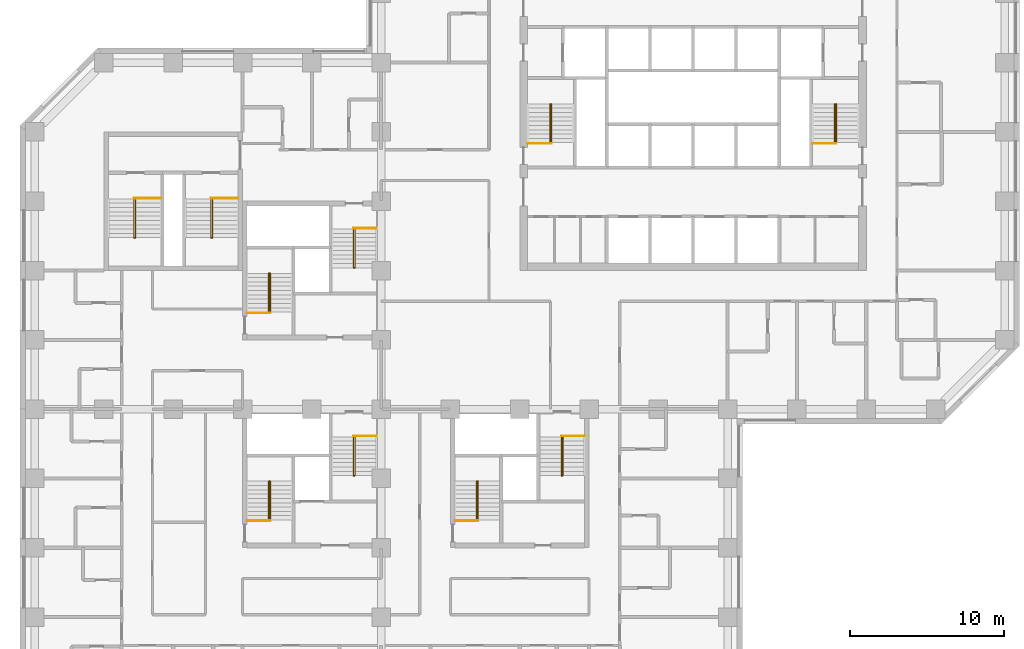
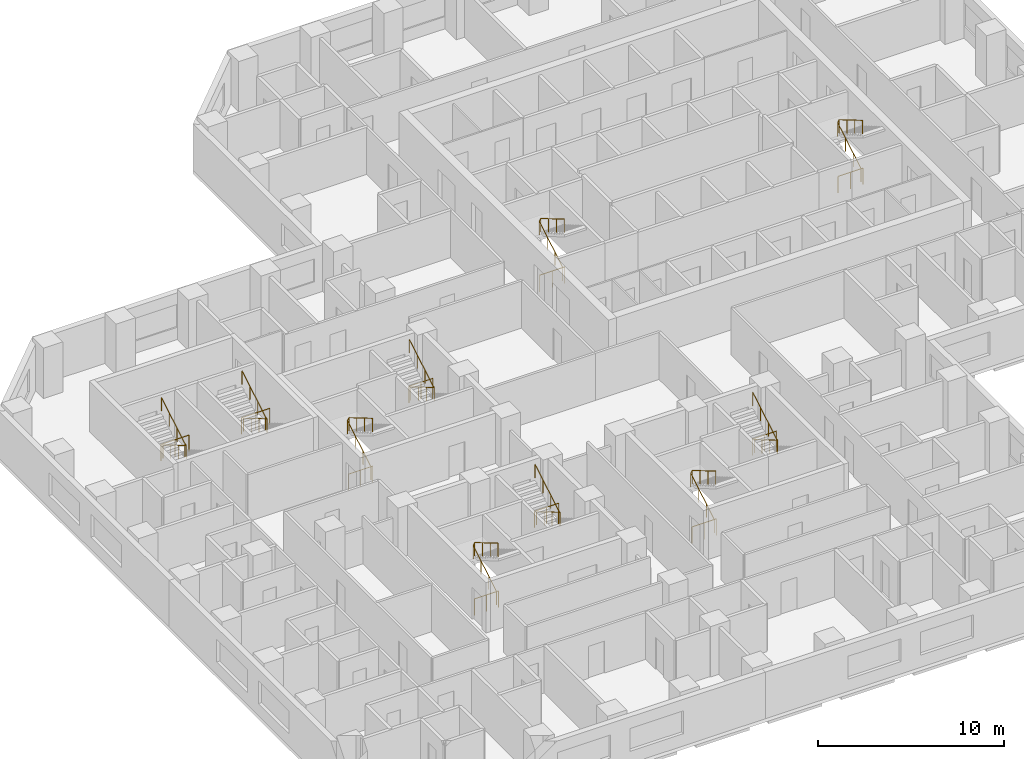
# One storey, part 12 of 12: 20 railings.
"""IFC4 building model written with IfcOpenShell, lengths in metres."""

from ifc_helpers import new_model, si_unit, direction, frame, origin, origin_2d, place, context, subcontext, project, spatial, circle, extrude, material, type_object, element, save


model = new_model("IFC4")

# Units and contexts
model_context = context("Model", 3, precision=1e-05, world=origin(), true_north=direction((0.0, 1.0)))
body_context = subcontext(model_context, "Body", "Model", "MODEL_VIEW")
ifc_project = project(units=[si_unit("LENGTHUNIT", "METRE"), si_unit("AREAUNIT", "SQUARE_METRE"), si_unit("VOLUMEUNIT", "CUBIC_METRE"), si_unit("PLANEANGLEUNIT", "RADIAN"), si_unit("MASSUNIT", "GRAM", prefix="KILO")], contexts=[model_context])

# Site, building, storey
site_placement = place(None, origin())
site = spatial("IfcSite", under=ifc_project, at=site_placement, CompositionType="ELEMENT")
building_placement = place(site_placement, origin())
building = spatial("IfcBuilding", under=site, at=building_placement, Name="Quoin Convention Tower", CompositionType="ELEMENT")
storey_placement = place(building_placement, frame((0.0, 0.0, 59.39990234375)))
storey = spatial("IfcBuildingStorey", under=building, at=storey_placement, Name="L15", CompositionType="ELEMENT", Elevation=59.39990234375)

# Railings
ifc_material = material(Name="Stainless steel", Category="steel")
railing_type_1 = type_object("IfcRailingType", Name="Stair handrail 900", PredefinedType="HANDRAIL", material=ifc_material)
for number, where, name in (
    (1, (46.955078125, 57.800048828125, 0.1650390625), "SD1 handrail 1"),
    (2, (65.455078125, 57.800048828125, 0.1650390625), "SD2 handrail 1"),
    (3, (28.705078125, 46.800048828125, 0.1650390625), "SD3 handrail 1"),
):
    element("IfcRailing", number, at=place(storey_placement, frame(where)), inside=storey, type_object=railing_type_1, Name=name, PredefinedType="HANDRAIL", context=body_context, shape_type="SweptSolid", body=[
        extrude(circle(Radius=0.02392578125, at=origin_2d()), frame((0.0, 0.0, 0.8759765625), z_axis=(0.0, 0.86152411907, 0.507716645641), x_axis=(-1.0, 0.0, 0.0)), (0.0, 0.0, 1.0), 2.925048828125),
        extrude(circle(Radius=0.02392578125, at=origin_2d()), frame((0.0, 2.52001953125, 2.36083984375), z_axis=(0.478123724308, 0.0, 0.878292493566), x_axis=(0.0, 1.0, 0.0)), (0.0, 0.0, 1.0), 0.18798828125),
        extrude(circle(Radius=0.02392578125, at=origin_2d()), frame((0.08984375, 2.52001953125, 2.52587890625), z_axis=(0.0, -0.861560626758, 0.507654692109), x_axis=(1.0, 0.0, 0.0)), (0.0, 0.0, 1.0), 2.925048828125),
        extrude(circle(Radius=0.02099609375, at=origin_2d()), origin(), (0.0, 0.0, 1.0), 0.851806640625),
        extrude(circle(Radius=0.02099609375, at=origin_2d()), frame((0.0, 0.840087890625, 0.4951171875)), (0.0, 0.0, 1.0), 0.851806640625),
        extrude(circle(Radius=0.02099609375, at=origin_2d()), frame((0.0, 1.679931640625, 0.989990234375)), (0.0, 0.0, 1.0), 0.851806640625),
        extrude(circle(Radius=0.02099609375, at=origin_2d()), frame((0.0, 2.52001953125, 1.485107421875)), (0.0, 0.0, 1.0), 0.851806640625),
        extrude(circle(Radius=0.02099609375, at=origin_2d()), frame((0.08984375, 2.52001953125, 1.650146484375)), (0.0, 0.0, 1.0), 0.851806640625),
        extrude(circle(Radius=0.02099609375, at=origin_2d()), frame((0.08984375, 1.679931640625, 2.14501953125)), (0.0, 0.0, 1.0), 0.851806640625),
        extrude(circle(Radius=0.02099609375, at=origin_2d()), frame((0.08984375, 0.840087890625, 2.64013671875)), (0.0, 0.0, 1.0), 0.851806640625),
        extrude(circle(Radius=0.02099609375, at=origin_2d()), frame((0.08984375, 0.0, 3.135009765625)), (0.0, 0.0, 1.0), 0.851806640625),
    ])
railing_1_placement = place(storey_placement, frame((34.294921875, 52.199951171875, 0.1650390625)))
element("IfcRailing", 4, at=railing_1_placement, inside=storey, type_object=railing_type_1, Name="SD4 handrail 1", PredefinedType="HANDRAIL", context=body_context, shape_type="SweptSolid", body=[
    extrude(circle(Radius=0.02392578125, at=origin_2d()), frame((0.0, 0.0, 0.8759765625), z_axis=(0.0, -0.86152411907, 0.507716645641), x_axis=(1.0, 0.0, 0.0)), (0.0, 0.0, 1.0), 2.925048828125),
    extrude(circle(Radius=0.02392578125, at=origin_2d()), frame((0.0, -2.52001953125, 2.36083984375), z_axis=(-0.478123724308, 0.0, 0.878292493566), x_axis=(0.0, -1.0, 0.0)), (0.0, 0.0, 1.0), 0.18798828125),
    extrude(circle(Radius=0.02392578125, at=origin_2d()), frame((-0.08984375, -2.52001953125, 2.52587890625), z_axis=(0.0, 0.861560626758, 0.507654692109), x_axis=(-1.0, 0.0, 0.0)), (0.0, 0.0, 1.0), 2.925048828125),
    extrude(circle(Radius=0.02099609375, at=origin_2d()), origin(), (0.0, 0.0, 1.0), 0.851806640625),
    extrude(circle(Radius=0.02099609375, at=origin_2d()), frame((0.0, -0.840087890625, 0.4951171875)), (0.0, 0.0, 1.0), 0.851806640625),
    extrude(circle(Radius=0.02099609375, at=origin_2d()), frame((0.0, -1.679931640625, 0.989990234375)), (0.0, 0.0, 1.0), 0.851806640625),
    extrude(circle(Radius=0.02099609375, at=origin_2d()), frame((0.0, -2.52001953125, 1.485107421875)), (0.0, 0.0, 1.0), 0.851806640625),
    extrude(circle(Radius=0.02099609375, at=origin_2d()), frame((-0.08984375, -2.52001953125, 1.650146484375)), (0.0, 0.0, 1.0), 0.851806640625),
    extrude(circle(Radius=0.02099609375, at=origin_2d()), frame((-0.08984375, -1.679931640625, 2.14501953125)), (0.0, 0.0, 1.0), 0.851806640625),
    extrude(circle(Radius=0.02099609375, at=origin_2d()), frame((-0.08984375, -0.840087890625, 2.64013671875)), (0.0, 0.0, 1.0), 0.851806640625),
    extrude(circle(Radius=0.02099609375, at=origin_2d()), frame((-0.08984375, 0.0, 3.135009765625)), (0.0, 0.0, 1.0), 0.851806640625),
])
railing_2_placement = place(storey_placement, frame((42.205078125, 33.300048828125, 0.1650390625)))
element("IfcRailing", 5, at=railing_2_placement, inside=storey, type_object=railing_type_1, Name="SD5 handrail 1", PredefinedType="HANDRAIL", context=body_context, shape_type="SweptSolid", body=[
    extrude(circle(Radius=0.02392578125, at=origin_2d()), frame((0.0, 0.0, 0.8759765625), z_axis=(0.0, 0.86152411907, 0.507716645641), x_axis=(-1.0, 0.0, 0.0)), (0.0, 0.0, 1.0), 2.925048828125),
    extrude(circle(Radius=0.02392578125, at=origin_2d()), frame((0.0, 2.52001953125, 2.36083984375), z_axis=(0.478123724308, 0.0, 0.878292493566), x_axis=(0.0, 1.0, 0.0)), (0.0, 0.0, 1.0), 0.18798828125),
    extrude(circle(Radius=0.02392578125, at=origin_2d()), frame((0.08984375, 2.52001953125, 2.52587890625), z_axis=(0.0, -0.861560626758, 0.507654692109), x_axis=(1.0, 0.0, 0.0)), (0.0, 0.0, 1.0), 2.925048828125),
    extrude(circle(Radius=0.02099609375, at=origin_2d()), origin(), (0.0, 0.0, 1.0), 0.851806640625),
    extrude(circle(Radius=0.02099609375, at=origin_2d()), frame((0.0, 0.840087890625, 0.4951171875)), (0.0, 0.0, 1.0), 0.851806640625),
    extrude(circle(Radius=0.02099609375, at=origin_2d()), frame((0.0, 1.679931640625, 0.989990234375)), (0.0, 0.0, 1.0), 0.851806640625),
    extrude(circle(Radius=0.02099609375, at=origin_2d()), frame((0.0, 2.52001953125, 1.485107421875)), (0.0, 0.0, 1.0), 0.851806640625),
    extrude(circle(Radius=0.02099609375, at=origin_2d()), frame((0.08984375, 2.52001953125, 1.650146484375)), (0.0, 0.0, 1.0), 0.851806640625),
    extrude(circle(Radius=0.02099609375, at=origin_2d()), frame((0.08984375, 1.679931640625, 2.14501953125)), (0.0, 0.0, 1.0), 0.851806640625),
    extrude(circle(Radius=0.02099609375, at=origin_2d()), frame((0.08984375, 0.840087890625, 2.64013671875)), (0.0, 0.0, 1.0), 0.851806640625),
    extrude(circle(Radius=0.02099609375, at=origin_2d()), frame((0.08984375, 0.0, 3.135009765625)), (0.0, 0.0, 1.0), 0.851806640625),
])
railing_3_placement = place(storey_placement, frame((47.794921875, 38.699951171875, 0.1650390625)))
element("IfcRailing", 6, at=railing_3_placement, inside=storey, type_object=railing_type_1, Name="SD6 handrail 1", PredefinedType="HANDRAIL", context=body_context, shape_type="SweptSolid", body=[
    extrude(circle(Radius=0.02392578125, at=origin_2d()), frame((0.0, 0.0, 0.8759765625), z_axis=(0.0, -0.86152411907, 0.507716645641), x_axis=(1.0, 0.0, 0.0)), (0.0, 0.0, 1.0), 2.925048828125),
    extrude(circle(Radius=0.02392578125, at=origin_2d()), frame((0.0, -2.52001953125, 2.36083984375), z_axis=(-0.478123724308, 0.0, 0.878292493566), x_axis=(0.0, -1.0, 0.0)), (0.0, 0.0, 1.0), 0.18798828125),
    extrude(circle(Radius=0.02392578125, at=origin_2d()), frame((-0.08984375, -2.52001953125, 2.52587890625), z_axis=(0.0, 0.861560626758, 0.507654692109), x_axis=(-1.0, 0.0, 0.0)), (0.0, 0.0, 1.0), 2.925048828125),
    extrude(circle(Radius=0.02099609375, at=origin_2d()), origin(), (0.0, 0.0, 1.0), 0.851806640625),
    extrude(circle(Radius=0.02099609375, at=origin_2d()), frame((0.0, -0.840087890625, 0.4951171875)), (0.0, 0.0, 1.0), 0.851806640625),
    extrude(circle(Radius=0.02099609375, at=origin_2d()), frame((0.0, -1.679931640625, 0.989990234375)), (0.0, 0.0, 1.0), 0.851806640625),
    extrude(circle(Radius=0.02099609375, at=origin_2d()), frame((0.0, -2.52001953125, 1.485107421875)), (0.0, 0.0, 1.0), 0.851806640625),
    extrude(circle(Radius=0.02099609375, at=origin_2d()), frame((-0.08984375, -2.52001953125, 1.650146484375)), (0.0, 0.0, 1.0), 0.851806640625),
    extrude(circle(Radius=0.02099609375, at=origin_2d()), frame((-0.08984375, -1.679931640625, 2.14501953125)), (0.0, 0.0, 1.0), 0.851806640625),
    extrude(circle(Radius=0.02099609375, at=origin_2d()), frame((-0.08984375, -0.840087890625, 2.64013671875)), (0.0, 0.0, 1.0), 0.851806640625),
    extrude(circle(Radius=0.02099609375, at=origin_2d()), frame((-0.08984375, 0.0, 3.135009765625)), (0.0, 0.0, 1.0), 0.851806640625),
])
railing_4_placement = place(storey_placement, frame((28.705078125, 33.300048828125, 0.1650390625)))
element("IfcRailing", 7, at=railing_4_placement, inside=storey, type_object=railing_type_1, Name="SD7 handrail 1", PredefinedType="HANDRAIL", context=body_context, shape_type="SweptSolid", body=[
    extrude(circle(Radius=0.02392578125, at=origin_2d()), frame((0.0, 0.0, 0.8759765625), z_axis=(0.0, 0.86152411907, 0.507716645641), x_axis=(-1.0, 0.0, 0.0)), (0.0, 0.0, 1.0), 2.925048828125),
    extrude(circle(Radius=0.02392578125, at=origin_2d()), frame((0.0, 2.52001953125, 2.36083984375), z_axis=(0.478123724308, 0.0, 0.878292493566), x_axis=(0.0, 1.0, 0.0)), (0.0, 0.0, 1.0), 0.18798828125),
    extrude(circle(Radius=0.02392578125, at=origin_2d()), frame((0.08984375, 2.52001953125, 2.52587890625), z_axis=(0.0, -0.861560626758, 0.507654692109), x_axis=(1.0, 0.0, 0.0)), (0.0, 0.0, 1.0), 2.925048828125),
    extrude(circle(Radius=0.02099609375, at=origin_2d()), origin(), (0.0, 0.0, 1.0), 0.851806640625),
    extrude(circle(Radius=0.02099609375, at=origin_2d()), frame((0.0, 0.840087890625, 0.4951171875)), (0.0, 0.0, 1.0), 0.851806640625),
    extrude(circle(Radius=0.02099609375, at=origin_2d()), frame((0.0, 1.679931640625, 0.989990234375)), (0.0, 0.0, 1.0), 0.851806640625),
    extrude(circle(Radius=0.02099609375, at=origin_2d()), frame((0.0, 2.52001953125, 1.485107421875)), (0.0, 0.0, 1.0), 0.851806640625),
    extrude(circle(Radius=0.02099609375, at=origin_2d()), frame((0.08984375, 2.52001953125, 1.650146484375)), (0.0, 0.0, 1.0), 0.851806640625),
    extrude(circle(Radius=0.02099609375, at=origin_2d()), frame((0.08984375, 1.679931640625, 2.14501953125)), (0.0, 0.0, 1.0), 0.851806640625),
    extrude(circle(Radius=0.02099609375, at=origin_2d()), frame((0.08984375, 0.840087890625, 2.64013671875)), (0.0, 0.0, 1.0), 0.851806640625),
    extrude(circle(Radius=0.02099609375, at=origin_2d()), frame((0.08984375, 0.0, 3.135009765625)), (0.0, 0.0, 1.0), 0.851806640625),
])
for number, where, name in (
    (8, (34.294921875, 38.699951171875, 0.1650390625), "SD8 handrail 1"),
    (9, (20.044921875, 54.14990234375, 0.1650390625), "SD11 handrail 1"),
    (10, (25.044921875, 54.14990234375, 0.1650390625), "SD12 handrail 1"),
):
    element("IfcRailing", number, at=place(storey_placement, frame(where)), inside=storey, type_object=railing_type_1, Name=name, PredefinedType="HANDRAIL", context=body_context, shape_type="SweptSolid", body=[
        extrude(circle(Radius=0.02392578125, at=origin_2d()), frame((0.0, 0.0, 0.8759765625), z_axis=(0.0, -0.86152411907, 0.507716645641), x_axis=(1.0, 0.0, 0.0)), (0.0, 0.0, 1.0), 2.925048828125),
        extrude(circle(Radius=0.02392578125, at=origin_2d()), frame((0.0, -2.52001953125, 2.36083984375), z_axis=(-0.478123724308, 0.0, 0.878292493566), x_axis=(0.0, -1.0, 0.0)), (0.0, 0.0, 1.0), 0.18798828125),
        extrude(circle(Radius=0.02392578125, at=origin_2d()), frame((-0.08984375, -2.52001953125, 2.52587890625), z_axis=(0.0, 0.861560626758, 0.507654692109), x_axis=(-1.0, 0.0, 0.0)), (0.0, 0.0, 1.0), 2.925048828125),
        extrude(circle(Radius=0.02099609375, at=origin_2d()), origin(), (0.0, 0.0, 1.0), 0.851806640625),
        extrude(circle(Radius=0.02099609375, at=origin_2d()), frame((0.0, -0.840087890625, 0.4951171875)), (0.0, 0.0, 1.0), 0.851806640625),
        extrude(circle(Radius=0.02099609375, at=origin_2d()), frame((0.0, -1.679931640625, 0.989990234375)), (0.0, 0.0, 1.0), 0.851806640625),
        extrude(circle(Radius=0.02099609375, at=origin_2d()), frame((0.0, -2.52001953125, 1.485107421875)), (0.0, 0.0, 1.0), 0.851806640625),
        extrude(circle(Radius=0.02099609375, at=origin_2d()), frame((-0.08984375, -2.52001953125, 1.650146484375)), (0.0, 0.0, 1.0), 0.851806640625),
        extrude(circle(Radius=0.02099609375, at=origin_2d()), frame((-0.08984375, -1.679931640625, 2.14501953125)), (0.0, 0.0, 1.0), 0.851806640625),
        extrude(circle(Radius=0.02099609375, at=origin_2d()), frame((-0.08984375, -0.840087890625, 2.64013671875)), (0.0, 0.0, 1.0), 0.851806640625),
        extrude(circle(Radius=0.02099609375, at=origin_2d()), frame((-0.08984375, 0.0, 3.135009765625)), (0.0, 0.0, 1.0), 0.851806640625),
    ])
railing_type_2 = type_object("IfcRailingType", Name="Stair top guard 1100", PredefinedType="GUARDRAIL", material=ifc_material)
for number, where, name in (
    (11, (45.5, 57.75, 0.0), "SD1 top guard"),
    (12, (64.0, 57.75, 0.0), "SD2 top guard"),
):
    element("IfcRailing", number, at=place(storey_placement, frame(where)), inside=storey, type_object=railing_type_2, Name=name, PredefinedType="GUARDRAIL", context=body_context, shape_type="SweptSolid", body=[
        extrude(circle(Radius=0.02392578125, at=origin_2d()), frame((0.0, 0.0, 1.076171875), z_axis=(1.0, 0.0, 0.0), x_axis=(0.0, 1.0, 0.0)), (0.0, 0.0, 1.0), 1.544921875),
        extrude(circle(Radius=0.02099609375, at=origin_2d()), origin(), (0.0, 0.0, 1.0), 1.052001953125),
        extrude(circle(Radius=0.02099609375, at=origin_2d()), frame((0.7724609375, 0.0, 0.0)), (0.0, 0.0, 1.0), 1.052001953125),
        extrude(circle(Radius=0.02099609375, at=origin_2d()), frame((1.544921875, 0.0, 0.0)), (0.0, 0.0, 1.0), 1.052001953125),
    ])
railing_5_placement = place(storey_placement, frame((27.300048828125, 46.75, 0.0)))
element("IfcRailing", 13, at=railing_5_placement, inside=storey, type_object=railing_type_2, Name="SD3 top guard", PredefinedType="GUARDRAIL", context=body_context, shape_type="SweptSolid", body=[
    extrude(circle(Radius=0.02392578125, at=origin_2d()), frame((0.0, 0.0, 1.076171875), z_axis=(1.0, 0.0, 0.0), x_axis=(0.0, 1.0, 0.0)), (0.0, 0.0, 1.0), 1.494873046875),
    extrude(circle(Radius=0.02099609375, at=origin_2d()), origin(), (0.0, 0.0, 1.0), 1.052001953125),
    extrude(circle(Radius=0.02099609375, at=origin_2d()), frame((0.74755859375, 0.0, 0.0)), (0.0, 0.0, 1.0), 1.052001953125),
    extrude(circle(Radius=0.02099609375, at=origin_2d()), frame((1.494873046875, 0.0, 0.0)), (0.0, 0.0, 1.0), 1.052001953125),
])
railing_6_placement = place(storey_placement, frame((35.699951171875, 52.25, 0.0)))
element("IfcRailing", 14, at=railing_6_placement, inside=storey, type_object=railing_type_2, Name="SD4 top guard", PredefinedType="GUARDRAIL", context=body_context, shape_type="SweptSolid", body=[
    extrude(circle(Radius=0.02392578125, at=origin_2d()), frame((0.0, 0.0, 1.076171875), z_axis=(-1.0, 0.0, 0.0), x_axis=(0.0, -1.0, 0.0)), (0.0, 0.0, 1.0), 1.494873046875),
    extrude(circle(Radius=0.02099609375, at=origin_2d()), origin(), (0.0, 0.0, 1.0), 1.052001953125),
    extrude(circle(Radius=0.02099609375, at=origin_2d()), frame((-0.74755859375, 0.0, 0.0)), (0.0, 0.0, 1.0), 1.052001953125),
    extrude(circle(Radius=0.02099609375, at=origin_2d()), frame((-1.494873046875, 0.0, 0.0)), (0.0, 0.0, 1.0), 1.052001953125),
])
railing_7_placement = place(storey_placement, frame((40.800048828125, 33.25, 0.0)))
element("IfcRailing", 15, at=railing_7_placement, inside=storey, type_object=railing_type_2, Name="SD5 top guard", PredefinedType="GUARDRAIL", context=body_context, shape_type="SweptSolid", body=[
    extrude(circle(Radius=0.02392578125, at=origin_2d()), frame((0.0, 0.0, 1.076171875), z_axis=(1.0, 0.0, 0.0), x_axis=(0.0, 1.0, 0.0)), (0.0, 0.0, 1.0), 1.494873046875),
    extrude(circle(Radius=0.02099609375, at=origin_2d()), origin(), (0.0, 0.0, 1.0), 1.052001953125),
    extrude(circle(Radius=0.02099609375, at=origin_2d()), frame((0.74755859375, 0.0, 0.0)), (0.0, 0.0, 1.0), 1.052001953125),
    extrude(circle(Radius=0.02099609375, at=origin_2d()), frame((1.494873046875, 0.0, 0.0)), (0.0, 0.0, 1.0), 1.052001953125),
])
railing_8_placement = place(storey_placement, frame((49.199951171875, 38.75, 0.0)))
element("IfcRailing", 16, at=railing_8_placement, inside=storey, type_object=railing_type_2, Name="SD6 top guard", PredefinedType="GUARDRAIL", context=body_context, shape_type="SweptSolid", body=[
    extrude(circle(Radius=0.02392578125, at=origin_2d()), frame((0.0, 0.0, 1.076171875), z_axis=(-1.0, 0.0, 0.0), x_axis=(0.0, -1.0, 0.0)), (0.0, 0.0, 1.0), 1.494873046875),
    extrude(circle(Radius=0.02099609375, at=origin_2d()), origin(), (0.0, 0.0, 1.0), 1.052001953125),
    extrude(circle(Radius=0.02099609375, at=origin_2d()), frame((-0.74755859375, 0.0, 0.0)), (0.0, 0.0, 1.0), 1.052001953125),
    extrude(circle(Radius=0.02099609375, at=origin_2d()), frame((-1.494873046875, 0.0, 0.0)), (0.0, 0.0, 1.0), 1.052001953125),
])
railing_9_placement = place(storey_placement, frame((27.300048828125, 33.25, 0.0)))
element("IfcRailing", 17, at=railing_9_placement, inside=storey, type_object=railing_type_2, Name="SD7 top guard", PredefinedType="GUARDRAIL", context=body_context, shape_type="SweptSolid", body=[
    extrude(circle(Radius=0.02392578125, at=origin_2d()), frame((0.0, 0.0, 1.076171875), z_axis=(1.0, 0.0, 0.0), x_axis=(0.0, 1.0, 0.0)), (0.0, 0.0, 1.0), 1.494873046875),
    extrude(circle(Radius=0.02099609375, at=origin_2d()), origin(), (0.0, 0.0, 1.0), 1.052001953125),
    extrude(circle(Radius=0.02099609375, at=origin_2d()), frame((0.74755859375, 0.0, 0.0)), (0.0, 0.0, 1.0), 1.052001953125),
    extrude(circle(Radius=0.02099609375, at=origin_2d()), frame((1.494873046875, 0.0, 0.0)), (0.0, 0.0, 1.0), 1.052001953125),
])
railing_10_placement = place(storey_placement, frame((35.699951171875, 38.75, 0.0)))
element("IfcRailing", 18, at=railing_10_placement, inside=storey, type_object=railing_type_2, Name="SD8 top guard", PredefinedType="GUARDRAIL", context=body_context, shape_type="SweptSolid", body=[
    extrude(circle(Radius=0.02392578125, at=origin_2d()), frame((0.0, 0.0, 1.076171875), z_axis=(-1.0, 0.0, 0.0), x_axis=(0.0, -1.0, 0.0)), (0.0, 0.0, 1.0), 1.494873046875),
    extrude(circle(Radius=0.02099609375, at=origin_2d()), origin(), (0.0, 0.0, 1.0), 1.052001953125),
    extrude(circle(Radius=0.02099609375, at=origin_2d()), frame((-0.74755859375, 0.0, 0.0)), (0.0, 0.0, 1.0), 1.052001953125),
    extrude(circle(Radius=0.02099609375, at=origin_2d()), frame((-1.494873046875, 0.0, 0.0)), (0.0, 0.0, 1.0), 1.052001953125),
])
for number, where, name in (
    (19, (21.699951171875, 54.199951171875, 0.0), "SD11 top guard"),
    (20, (26.699951171875, 54.199951171875, 0.0), "SD12 top guard"),
):
    element("IfcRailing", number, at=place(storey_placement, frame(where)), inside=storey, type_object=railing_type_2, Name=name, PredefinedType="GUARDRAIL", context=body_context, shape_type="SweptSolid", body=[
        extrude(circle(Radius=0.02392578125, at=origin_2d()), frame((0.0, 0.0, 1.076171875), z_axis=(-1.0, 0.0, 0.0), x_axis=(0.0, -1.0, 0.0)), (0.0, 0.0, 1.0), 1.744873046875),
        extrude(circle(Radius=0.02099609375, at=origin_2d()), origin(), (0.0, 0.0, 1.0), 1.052001953125),
        extrude(circle(Radius=0.02099609375, at=origin_2d()), frame((-0.87255859375, 0.0, 0.0)), (0.0, 0.0, 1.0), 1.052001953125),
        extrude(circle(Radius=0.02099609375, at=origin_2d()), frame((-1.744873046875, 0.0, 0.0)), (0.0, 0.0, 1.0), 1.052001953125),
    ])

save(model, "model.ifc")
